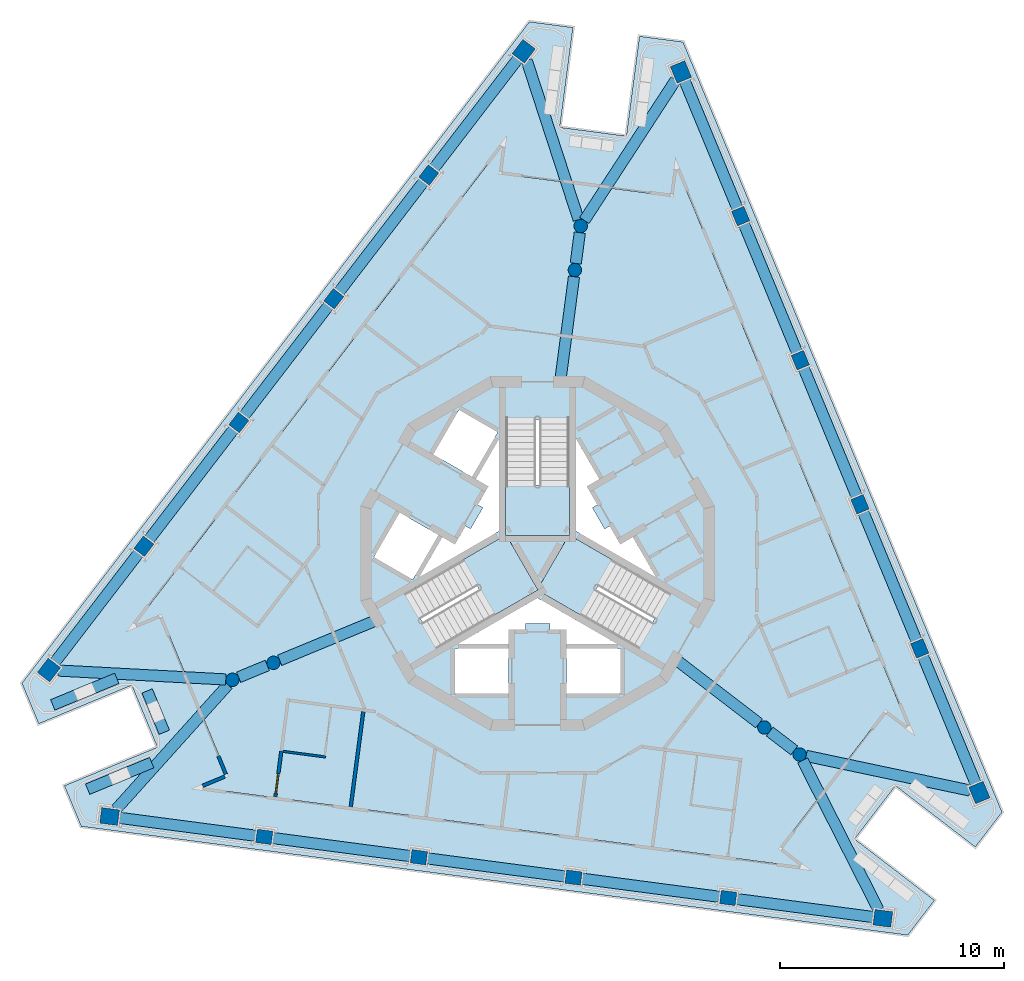
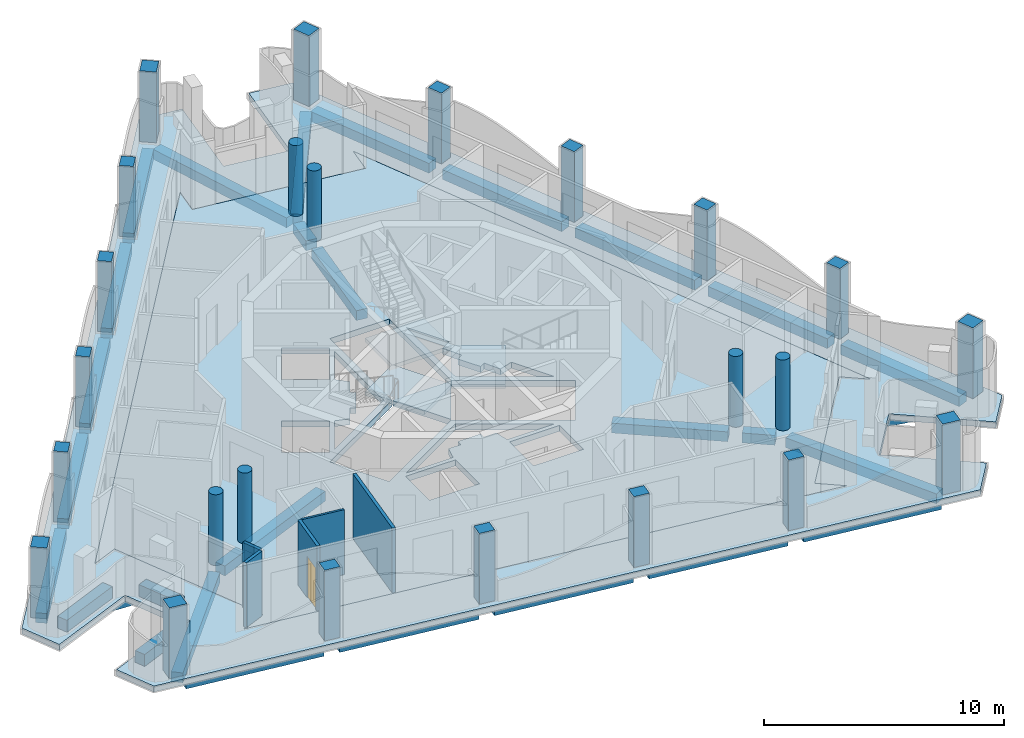
# One storey, part 1 of 12: 27 beams, 24 columns, 8 walls, 6 slabs, 1 door, 1 opening, 3 elements without a shape of their own.
"""IFC4 building model written with IfcOpenShell, lengths in metres."""

from ifc_helpers import new_model, si_unit, direction, frame, frame_2d, origin, origin_2d, place, context, subcontext, project, spatial, polyline, rectangle, circle, outline, extrude, material, layer, layer_set, material_profile, profile_set, type_object, element, fill, aggregate, save


model = new_model("IFC4")

# Units and contexts
model_context = context("Model", 3, precision=1e-05, world=origin(), true_north=direction((0.0, 1.0)))
body_context = subcontext(model_context, "Body", "Model", "MODEL_VIEW")
ifc_project = project(units=[si_unit("LENGTHUNIT", "METRE"), si_unit("AREAUNIT", "SQUARE_METRE"), si_unit("VOLUMEUNIT", "CUBIC_METRE"), si_unit("PLANEANGLEUNIT", "RADIAN"), si_unit("MASSUNIT", "GRAM", prefix="KILO")], contexts=[model_context])

# Site, building, storey
site_placement = place(None, origin())
site = spatial("IfcSite", under=ifc_project, at=site_placement, CompositionType="ELEMENT")
building_placement = place(site_placement, origin())
building = spatial("IfcBuilding", under=site, at=building_placement, Name="Trine Commons Tower", CompositionType="ELEMENT")
storey_placement = place(building_placement, frame((0.0, 0.0, 279.0)))
storey = spatial("IfcBuildingStorey", under=building, at=storey_placement, Name="L73", CompositionType="ELEMENT", Elevation=279.0)

# Columns
ifc_material_1 = material(Name="Concrete C50/60", Category="concrete")
ifc_material_profile_1 = material_profile(ifc_material_1, rectangle(XDim=0.699951171875, YDim=0.60009765625, at=origin_2d()), Name="RC 700x600")
ifc_profile_set_1 = profile_set([ifc_material_profile_1], Name="Concrete C50/60")
column_type_1 = type_object("IfcColumnType", Name="RC column 700x600, C50/60", PredefinedType="COLUMN", material=ifc_profile_set_1)
for number, where, z_axis, x_axis, name in (
    (1, (88.521728515625, 47.098876953125, 0.0), (0.0, 0.0, 1.0), (-0.991444861374, 0.13052619222, 0.0), "Column PC8-02 L73"),
    (2, (81.608642578125, 48.009033203125, 0.0), (0.0, 0.0, 1.0), (-0.991444861374, 0.13052619222, 0.0), "Column PC8-03 L73"),
    (3, (74.695556640625, 48.919189453125, 0.0), (0.0, 0.0, 1.0), (-0.991444861374, 0.13052619222, 0.0), "Column PC8-04 L73"),
    (4, (67.782470703125, 49.8291015625, 0.0), (0.0, 0.0, 1.0), (-0.991444861374, 0.13052619222, 0.0), "Column PC8-05 L73"),
    (5, (62.4013671875, 62.820556640625, 0.0), (0.0, 0.0, 1.0), (0.608761429009, 0.793353340291, 0.0), "Column PC8-08 L73"),
    (6, (66.64599609375, 68.352294921875, 0.0), (0.0, 0.0, 1.0), (0.608761429009, 0.793353340291, 0.0), "Column PC8-09 L73"),
    (7, (70.890869140625, 73.88427734375, 0.0), (0.0, 0.0, 1.0), (0.608761429009, 0.793353340291, 0.0), "Column PC8-10 L73"),
    (8, (75.135498046875, 79.416015625, 0.0), (0.0, 0.0, 1.0), (0.608761429009, 0.793353340291, 0.0), "Column PC8-11 L73"),
    (9, (89.076904296875, 77.58056640625, 0.0), (0.0, 0.0, 1.0), (-0.382683432365, 0.923879532511, 0.0), "Column PC8-14 L73"),
    (10, (91.745361328125, 71.138671875, 0.0), (0.0, 0.0, 1.0), (-0.382683432365, 0.923879532511, 0.0), "Column PC8-15 L73"),
    (11, (94.41357421875, 64.69677734375, 0.0), (0.0, 0.0, 1.0), (-0.382683432365, 0.923879532511, 0.0), "Column PC8-16 L73"),
    (12, (97.081787109375, 58.254638671875, 0.0), (0.0, 0.0, 1.0), (-0.382683432365, 0.923879532511, 0.0), "Column PC8-17 L73"),
):
    element("IfcColumn", number, at=place(storey_placement, frame(where, z_axis=z_axis, x_axis=x_axis)), inside=storey, type_object=column_type_1, Name=name, PredefinedType="COLUMN", context=body_context, shape_type="SweptSolid", body=[
        extrude(rectangle(XDim=0.699951171875, YDim=0.60009765625, at=origin_2d()), origin(), (0.0, 0.0, 1.0), 3.60009765625),
    ])
ifc_material_profile_2 = material_profile(ifc_material_1, rectangle(XDim=0.800048828125, YDim=0.699951171875, at=origin_2d()), Name="RC 800x700")
ifc_profile_set_2 = profile_set([ifc_material_profile_2], Name="Concrete C50/60")
column_type_2 = type_object("IfcColumnType", Name="RC column 800x700, C50/60", PredefinedType="COLUMN", material=ifc_profile_set_2)
for number, where, z_axis, x_axis, name in (
    (13, (95.434814453125, 46.188720703125, 0.0), (0.0, 0.0, 1.0), (-0.991444861374, 0.13052619222, 0.0), "Column PC8-01 L73"),
    (14, (60.869384765625, 50.7392578125, 0.0), (0.0, 0.0, 1.0), (-0.991444861374, 0.13052619222, 0.0), "Column PC8-06 L73"),
    (15, (58.156494140625, 57.288818359375, 0.0), (0.0, 0.0, 1.0), (0.608761429009, 0.793353340291, 0.0), "Column PC8-07 L73"),
    (16, (79.380126953125, 84.947998046875, 0.0), (0.0, 0.0, 1.0), (0.608761429009, 0.793353340291, 0.0), "Column PC8-12 L73"),
    (17, (86.40869140625, 84.022705078125, 0.0), (0.0, 0.0, 1.0), (-0.382683432365, 0.923879532511, 0.0), "Column PC8-13 L73"),
    (18, (99.750244140625, 51.812744140625, 0.0), (0.0, 0.0, 1.0), (-0.382683432365, 0.923879532511, 0.0), "Column PC8-18 L73"),
):
    element("IfcColumn", number, at=place(storey_placement, frame(where, z_axis=z_axis, x_axis=x_axis)), inside=storey, type_object=column_type_2, Name=name, PredefinedType="COLUMN", context=body_context, shape_type="SweptSolid", body=[
        extrude(rectangle(XDim=0.800048828125, YDim=0.699951171875, at=origin_2d()), origin(), (0.0, 0.0, 1.0), 3.60009765625),
    ])
ifc_material_profile_3 = material_profile(ifc_material_1, circle(Radius=0.300048828125, at=origin_2d()), Name="RC round 600")
ifc_profile_set_3 = profile_set([ifc_material_profile_3], Name="Concrete C50/60")
column_type_3 = type_object("IfcColumnType", Name="RC round column 600 mm, C50/60", PredefinedType="COLUMN", material=ifc_profile_set_3)
for number, where, z_axis, x_axis, name in (
    (19, (90.137451171875, 54.72119140625, 0.0), (0.0, 0.0, 1.0), (1.0, 0.0, 0.0), "Column WC8-1 L73"),
    (20, (91.711669921875, 53.513427734375, 0.0), (0.0, 0.0, 1.0), (1.0, 0.0, 0.0), "Column WC8-2 L73"),
    (21, (81.66796875, 75.168701171875, 0.0), (0.0, 0.0, 1.0), (1.0, 0.0, 0.0), "Column WC8-3 L73"),
    (22, (81.927001953125, 77.135986328125, 0.0), (0.0, 0.0, 1.0), (1.0, 0.0, 0.0), "Column WC8-4 L73"),
    (23, (68.194580078125, 57.610107421875, 0.0), (0.0, 0.0, 1.0), (1.0, 0.0, 0.0), "Column WC8-5 L73"),
    (24, (66.361572265625, 56.850830078125, 0.0), (0.0, 0.0, 1.0), (1.0, 0.0, 0.0), "Column WC8-6 L73"),
):
    element("IfcColumn", number, at=place(storey_placement, frame(where, z_axis=z_axis, x_axis=x_axis)), inside=storey, type_object=column_type_3, Name=name, PredefinedType="COLUMN", context=body_context, shape_type="SweptSolid", body=[
        extrude(circle(Radius=0.300048828125, at=origin_2d()), origin(), (0.0, 0.0, 1.0), 3.60009765625),
    ])

# Beams
ifc_material_2 = material(Name="Concrete C40/50", Category="concrete")
ifc_material_profile_4 = material_profile(ifc_material_2, rectangle(XDim=0.5, YDim=0.5, at=origin_2d()), Name="RC 500x500")
ifc_profile_set_4 = profile_set([ifc_material_profile_4], Name="Concrete C40/50")
beam_type = type_object("IfcBeamType", Name="RC beam 500x500, C40/50", PredefinedType="BEAM", material=ifc_profile_set_4)
beam_1_placement = place(storey_placement, frame((95.0380859375, 46.240966796875, -0.550048828125), z_axis=(-0.991444143506, 0.130531644853, 0.0), x_axis=(-0.130531644853, -0.991444143506, 0.0)))
element("IfcBeam", 25, at=beam_1_placement, inside=storey, type_object=beam_type, Name="Beam EB8-01 L73", PredefinedType="BEAM", context=body_context, shape_type="SweptSolid", body=[
    extrude(rectangle(XDim=0.5, YDim=0.5, at=origin_2d()), origin(), (0.0, 0.0, 1.0), 6.22265625),
])
beam_2_placement = place(storey_placement, frame((88.1748046875, 47.14453125, -0.550048828125), z_axis=(-0.9914427663, 0.130542104902, 0.0), x_axis=(-0.130542104902, -0.9914427663, 0.0)))
element("IfcBeam", 26, at=beam_2_placement, inside=storey, type_object=beam_type, Name="Beam EB8-02 L73", PredefinedType="BEAM", context=body_context, shape_type="SweptSolid", body=[
    extrude(rectangle(XDim=0.5, YDim=0.5, at=origin_2d()), origin(), (0.0, 0.0, 1.0), 6.272705078125),
])
for number, where, z_axis, x_axis, name in (
    (27, (81.26171875, 48.0546875, -0.550048828125), (-0.991448465824, 0.130498810784, 0.0), (-0.130498810784, -0.991448465824, 0.0), "Beam EB8-03 L73"),
    (28, (74.3486328125, 48.96484375, -0.550048828125), (-0.991448465824, 0.130498810784, 0.0), (-0.130498810784, -0.991448465824, 0.0), "Beam EB8-04 L73"),
):
    element("IfcBeam", number, at=place(storey_placement, frame(where, z_axis=z_axis, x_axis=x_axis)), inside=storey, type_object=beam_type, Name=name, PredefinedType="BEAM", context=body_context, shape_type="SweptSolid", body=[
        extrude(rectangle(XDim=0.5, YDim=0.5, at=origin_2d()), origin(), (0.0, 0.0, 1.0), 6.27294921875),
    ])
for number, where, z_axis, x_axis, name in (
    (29, (67.435546875, 49.875, -0.550048828125), (-0.991449220248, 0.130493079009, 0.0), (-0.130493079009, -0.991449220248, 0.0), "Beam EB8-05 L73"),
    (30, (58.400146484375, 57.60595703125, -0.550048828125), (0.60875848978, 0.793355595632, 0.0), (-0.793355595632, 0.60875848978, 0.0), "Beam EB8-06 L73"),
):
    element("IfcBeam", number, at=place(storey_placement, frame(where, z_axis=z_axis, x_axis=x_axis)), inside=storey, type_object=beam_type, Name=name, PredefinedType="BEAM", context=body_context, shape_type="SweptSolid", body=[
        extrude(rectangle(XDim=0.5, YDim=0.5, at=origin_2d()), origin(), (0.0, 0.0, 1.0), 6.22265625),
    ])
for number, where, z_axis, x_axis, name in (
    (31, (62.614501953125, 63.09814453125, -0.550048828125), (0.608756693169, 0.793356974206, 0.0), (-0.793356974206, 0.608756693169, 0.0), "Beam EB8-07 L73"),
    (32, (66.859130859375, 68.630126953125, -0.550048828125), (0.608775490712, 0.793342550169, 0.0), (-0.793342550169, 0.608775490712, 0.0), "Beam EB8-08 L73"),
):
    element("IfcBeam", number, at=place(storey_placement, frame(where, z_axis=z_axis, x_axis=x_axis)), inside=storey, type_object=beam_type, Name=name, PredefinedType="BEAM", context=body_context, shape_type="SweptSolid", body=[
        extrude(rectangle(XDim=0.5, YDim=0.5, at=origin_2d()), origin(), (0.0, 0.0, 1.0), 6.272705078125),
    ])
beam_3_placement = place(storey_placement, frame((71.10400390625, 74.161865234375, -0.550048828125), z_axis=(0.608750992772, 0.793361348188, 0.0), x_axis=(-0.793361348188, 0.608750992772, 0.0)))
element("IfcBeam", 33, at=beam_3_placement, inside=storey, type_object=beam_type, Name="Beam EB8-09 L73", PredefinedType="BEAM", context=body_context, shape_type="SweptSolid", body=[
    extrude(rectangle(XDim=0.5, YDim=0.5, at=origin_2d()), origin(), (0.0, 0.0, 1.0), 6.2724609375),
])
beam_4_placement = place(storey_placement, frame((75.3486328125, 79.693603515625, -0.550048828125), z_axis=(0.60873954155, 0.793370134649, 0.0), x_axis=(-0.793370134649, 0.60873954155, 0.0)))
element("IfcBeam", 34, at=beam_4_placement, inside=storey, type_object=beam_type, Name="Beam EB8-10 L73", PredefinedType="BEAM", context=body_context, shape_type="SweptSolid", body=[
    extrude(rectangle(XDim=0.5, YDim=0.5, at=origin_2d()), origin(), (0.0, 0.0, 1.0), 6.222900390625),
])
beam_5_placement = place(storey_placement, frame((86.561767578125, 83.653076171875, -0.550048828125), z_axis=(0.382686748804, -0.92387815879, 0.0), x_axis=(0.92387815879, 0.382686748804, 0.0)))
element("IfcBeam", 35, at=beam_5_placement, inside=storey, type_object=beam_type, Name="Beam EB8-11 L73", PredefinedType="BEAM", context=body_context, shape_type="SweptSolid", body=[
    extrude(rectangle(XDim=0.5, YDim=0.5, at=origin_2d()), origin(), (0.0, 0.0, 1.0), 6.22265625),
])
beam_6_placement = place(storey_placement, frame((89.210693359375, 77.257080078125, -0.550048828125), z_axis=(0.382724191967, -0.923862648278, 0.0), x_axis=(0.923862648278, 0.382724191967, 0.0)))
element("IfcBeam", 36, at=beam_6_placement, inside=storey, type_object=beam_type, Name="Beam EB8-12 L73", PredefinedType="BEAM", context=body_context, shape_type="SweptSolid", body=[
    extrude(rectangle(XDim=0.5, YDim=0.5, at=origin_2d()), origin(), (0.0, 0.0, 1.0), 6.2724609375),
])
for number, where, z_axis, x_axis, name in (
    (37, (91.879150390625, 70.815185546875, -0.550048828125), (0.38271043005, -0.923868349242, 0.0), (0.923868349242, 0.38271043005, 0.0), "Beam EB8-13 L73"),
    (38, (94.547607421875, 64.373291015625, -0.550048828125), (0.38267720894, -0.923882110314, 0.0), (0.923882110314, 0.38267720894, 0.0), "Beam EB8-14 L73"),
):
    element("IfcBeam", number, at=place(storey_placement, frame(where, z_axis=z_axis, x_axis=x_axis)), inside=storey, type_object=beam_type, Name=name, PredefinedType="BEAM", context=body_context, shape_type="SweptSolid", body=[
        extrude(rectangle(XDim=0.5, YDim=0.5, at=origin_2d()), origin(), (0.0, 0.0, 1.0), 6.272705078125),
    ])
beam_7_placement = place(storey_placement, frame((97.2158203125, 57.931396484375, -0.550048828125), z_axis=(0.382686748804, -0.92387815879, 0.0), x_axis=(0.92387815879, 0.382686748804, 0.0)))
element("IfcBeam", 39, at=beam_7_placement, inside=storey, type_object=beam_type, Name="Beam EB8-15 L73", PredefinedType="BEAM", context=body_context, shape_type="SweptSolid", body=[
    extrude(rectangle(XDim=0.5, YDim=0.5, at=origin_2d()), origin(), (0.0, 0.0, 1.0), 6.22265625),
])
beam_8_placement = place(storey_placement, frame((61.1533203125, 51.054931640625, -0.550048828125), z_axis=(0.668383038107, 0.743817258721, 0.0), x_axis=(-0.743817258721, 0.668383038107, 0.0)))
element("IfcBeam", 40, at=beam_8_placement, inside=storey, type_object=beam_type, Name="Beam CB8-01 L73", PredefinedType="BEAM", context=body_context, shape_type="SweptSolid", body=[
    extrude(rectangle(XDim=0.5, YDim=0.5, at=origin_2d()), origin(), (0.0, 0.0, 1.0), 7.492431640625),
])
beam_9_placement = place(storey_placement, frame((58.580322265625, 57.26611328125, -0.550048828125), z_axis=(0.998578123195, -0.053307896938, 0.0), x_axis=(0.053307896938, 0.998578123195, 0.0)))
element("IfcBeam", 41, at=beam_9_placement, inside=storey, type_object=beam_type, Name="Beam CB8-02 L73", PredefinedType="BEAM", context=body_context, shape_type="SweptSolid", body=[
    extrude(rectangle(XDim=0.5, YDim=0.5, at=origin_2d()), origin(), (0.0, 0.0, 1.0), 7.49267578125),
])
for number, where, z_axis, x_axis, name in (
    (42, (79.51171875, 84.54443359375, -0.550048828125), (0.309945045927, -0.950754473303, 0.0), (0.950754473303, 0.309945045927, 0.0), "Beam CB8-03 L73"),
    (43, (86.177001953125, 83.6669921875, -0.550048828125), (-0.545439536042, -0.838150173013, 0.0), (0.838150173013, -0.545439536042, 0.0), "Beam CB8-04 L73"),
):
    element("IfcBeam", number, at=place(storey_placement, frame(where, z_axis=z_axis, x_axis=x_axis)), inside=storey, type_object=beam_type, Name=name, PredefinedType="BEAM", context=body_context, shape_type="SweptSolid", body=[
        extrude(rectangle(XDim=0.5, YDim=0.5, at=origin_2d()), origin(), (0.0, 0.0, 1.0), 7.492431640625),
    ])
beam_10_placement = place(storey_placement, frame((99.335205078125, 51.900634765625, -0.550048828125), z_axis=(-0.978346023525, 0.206975984727, 0.0), x_axis=(-0.206975984727, -0.978346023525, 0.0)))
element("IfcBeam", 44, at=beam_10_placement, inside=storey, type_object=beam_type, Name="Beam CB8-05 L73", PredefinedType="BEAM", context=body_context, shape_type="SweptSolid", body=[
    extrude(rectangle(XDim=0.5, YDim=0.5, at=origin_2d()), origin(), (0.0, 0.0, 1.0), 7.49267578125),
])
beam_11_placement = place(storey_placement, frame((95.242431640625, 46.56689453125, -0.550048828125), z_axis=(-0.453121168072, 0.891448936869, 0.0), x_axis=(-0.891448936869, -0.453121168072, 0.0)))
element("IfcBeam", 45, at=beam_11_placement, inside=storey, type_object=beam_type, Name="Beam CB8-06 L73", PredefinedType="BEAM", context=body_context, shape_type="SweptSolid", body=[
    extrude(rectangle(XDim=0.5, YDim=0.5, at=origin_2d()), origin(), (0.0, 0.0, 1.0), 7.492431640625),
])
beam_12_placement = place(storey_placement, frame((86.020751953125, 57.880126953125, -0.550048828125), z_axis=(0.793360362614, -0.60875227723, 0.0), x_axis=(0.60875227723, 0.793360362614, 0.0)))
element("IfcBeam", 46, at=beam_12_placement, inside=storey, type_object=beam_type, Name="Beam RB8-01 L73", PredefinedType="BEAM", context=body_context, shape_type="SweptSolid", body=[
    extrude(rectangle(XDim=0.5, YDim=0.5, at=origin_2d()), origin(), (0.0, 0.0, 1.0), 4.88916015625),
])
beam_13_placement = place(storey_placement, frame((90.375244140625, 54.538818359375, -0.550048828125), z_axis=(0.793350909005, -0.60876459751, 0.0), x_axis=(0.60876459751, 0.793350909005, 0.0)))
element("IfcBeam", 47, at=beam_13_placement, inside=storey, type_object=beam_type, Name="Beam RB8-02 L73", PredefinedType="BEAM", context=body_context, shape_type="SweptSolid", body=[
    extrude(rectangle(XDim=0.5, YDim=0.5, at=origin_2d()), origin(), (0.0, 0.0, 1.0), 1.384765625),
])
beam_14_placement = place(storey_placement, frame((80.990478515625, 70.02392578125, -0.550048828125), z_axis=(0.130570757815, 0.991438993183, 0.0), x_axis=(-0.991438993183, 0.130570757815, 0.0)))
element("IfcBeam", 48, at=beam_14_placement, inside=storey, type_object=beam_type, Name="Beam RB8-03 L73", PredefinedType="BEAM", context=body_context, shape_type="SweptSolid", body=[
    extrude(rectangle(XDim=0.5, YDim=0.5, at=origin_2d()), origin(), (0.0, 0.0, 1.0), 4.889404296875),
])
beam_15_placement = place(storey_placement, frame((81.70703125, 75.4658203125, -0.550048828125), z_axis=(0.130454512571, 0.991454295543, 0.0), x_axis=(-0.991454295543, 0.130454512571, 0.0)))
element("IfcBeam", 49, at=beam_15_placement, inside=storey, type_object=beam_type, Name="Beam RB8-04 L73", PredefinedType="BEAM", context=body_context, shape_type="SweptSolid", body=[
    extrude(rectangle(XDim=0.5, YDim=0.5, at=origin_2d()), origin(), (0.0, 0.0, 1.0), 1.384765625),
])
beam_16_placement = place(storey_placement, frame((72.98876953125, 59.595703125, -0.550048828125), z_axis=(-0.923885978684, -0.382667869556, 0.0), x_axis=(0.382667869556, -0.923885978684, 0.0)))
element("IfcBeam", 50, at=beam_16_placement, inside=storey, type_object=beam_type, Name="Beam RB8-05 L73", PredefinedType="BEAM", context=body_context, shape_type="SweptSolid", body=[
    extrude(rectangle(XDim=0.5, YDim=0.5, at=origin_2d()), origin(), (0.0, 0.0, 1.0), 4.888916015625),
])
beam_17_placement = place(storey_placement, frame((67.91748046875, 57.495361328125, -0.550048828125), z_axis=(-0.923857745483, -0.38273602667, 0.0), x_axis=(0.38273602667, -0.923857745483, 0.0)))
element("IfcBeam", 51, at=beam_17_placement, inside=storey, type_object=beam_type, Name="Beam RB8-06 L73", PredefinedType="BEAM", context=body_context, shape_type="SweptSolid", body=[
    extrude(rectangle(XDim=0.5, YDim=0.5, at=origin_2d()), origin(), (0.0, 0.0, 1.0), 1.38427734375),
])

# Slabs
ifc_layer_1 = layer(ifc_material_2, 0.300048828125)
ifc_layer_set_1 = layer_set([ifc_layer_1], Name="Concrete C40/50")
slab_type_1 = type_object("IfcSlabType", Name="Loggia slab 300 mm, C40/50", PredefinedType="FLOOR", material=ifc_layer_set_1)
slab_1_placement = place(storey_placement, frame((0.0, 0.0, -0.300048828125)))
element("IfcSlab", 52, at=slab_1_placement, inside=storey, type_object=slab_type_1, Name="Loggia slab L73", PredefinedType="FLOOR", context=body_context, shape_type="SweptSolid", body=[
    extrude(outline(polyline([(100.763916015625, 50.933837890625), (86.503662109375, 85.36083984375), (84.556396484375, 85.6171875), (83.968994140625, 81.15576171875), (80.99462890625, 81.54736328125), (81.58203125, 86.0087890625), (79.634765625, 86.26513671875), (56.9501953125, 56.701904296875), (57.70166015625, 54.88720703125), (61.859130859375, 56.609375), (63.007080078125, 53.837890625), (58.849853515625, 52.11572265625), (59.601318359375, 50.301025390625), (96.546142578125, 45.437255859375), (97.741943359375, 46.99560546875), (94.171875, 49.73486328125), (95.998046875, 52.114990234375), (99.568115234375, 49.37548828125), (100.763916015625, 50.933837890625)]), holes=[polyline([(63.158203125, 59.7451171875), (66.14306640625, 52.538818359375), (64.900390625, 52.024169921875), (91.873779296875, 48.47314453125), (90.806640625, 49.2919921875), (95.55517578125, 55.47998046875), (96.6220703125, 54.6611328125), (86.210693359375, 79.79638671875), (86.03515625, 78.462890625), (78.302001953125, 79.481201171875), (78.4775390625, 80.814697265625), (61.915283203125, 59.23046875), (63.158203125, 59.7451171875)])]), origin(), (0.0, 0.0, 1.0), 0.300048828125),
])
ifc_layer_2 = layer(ifc_material_2, 0.300048828125)
ifc_layer_set_2 = layer_set([ifc_layer_2], Name="Concrete C40/50")
slab_type_2 = type_object("IfcSlabType", Name="PT flat slab 300 mm, C40/50", PredefinedType="FLOOR", material=ifc_layer_set_2)
slab_2_placement = place(storey_placement, frame((0.0, 0.0, -0.300048828125)))
element("IfcSlab", 53, at=slab_2_placement, inside=storey, type_object=slab_type_2, Name="Floor slab L73", PredefinedType="FLOOR", context=body_context, shape_type="SweptSolid", body=[
    extrude(outline(polyline([(61.915283203125, 59.23046875), (63.158203125, 59.7451171875), (66.14306640625, 52.538818359375), (64.900390625, 52.024169921875), (91.873779296875, 48.47314453125), (90.806640625, 49.2919921875), (95.55517578125, 55.47998046875), (96.6220703125, 54.6611328125), (86.210693359375, 79.79638671875), (86.03515625, 78.462890625), (78.302001953125, 79.481201171875), (78.4775390625, 80.814697265625), (61.915283203125, 59.23046875)]), holes=[polyline([(78.699951171875, 56.25), (78.699951171875, 58.25), (76.300048828125, 58.25), (76.300048828125, 56.25), (78.699951171875, 56.25)]), polyline([(83.699951171875, 56.25), (83.699951171875, 58.25), (81.300048828125, 58.25), (81.300048828125, 56.25), (83.699951171875, 56.25)]), polyline([(81.300048828125, 58.449951171875), (83.56494140625, 58.449951171875), (80.0, 60.508056640625), (76.43505859375, 58.449951171875), (78.699951171875, 58.449951171875), (78.85009765625, 59.10009765625), (79.449951171875, 59.10009765625), (79.449951171875, 59.360107421875), (80.550048828125, 59.360107421875), (80.550048828125, 59.10009765625), (81.14990234375, 59.10009765625), (81.300048828125, 58.449951171875)]), polyline([(81.425048828125, 63.32275390625), (81.425048828125, 68.490478515625), (78.574951171875, 68.490478515625), (78.574951171875, 63.32275390625), (74.099609375, 60.73876953125), (75.5244140625, 58.2705078125), (80.0, 60.8544921875), (84.4755859375, 58.2705078125), (85.900390625, 60.73876953125), (81.425048828125, 63.32275390625)]), polyline([(72.687255859375, 62.333984375), (74.41943359375, 61.333984375), (75.5693359375, 63.325927734375), (73.83740234375, 64.325927734375), (72.687255859375, 62.333984375)]), polyline([(76.381103515625, 63.031005859375), (75.742919921875, 63.22607421875), (74.7099609375, 61.43798828125), (78.27490234375, 63.49609375), (78.27490234375, 67.612060546875), (77.242919921875, 65.823974609375), (77.73095703125, 65.368896484375), (77.3310546875, 64.676025390625), (77.555908203125, 64.5458984375), (77.006103515625, 63.593994140625), (76.781005859375, 63.722900390625), (76.381103515625, 63.031005859375)]), polyline([(82.993896484375, 63.593994140625), (82.444091796875, 64.5458984375), (82.72705078125, 64.7099609375), (82.281005859375, 65.549072265625), (82.757080078125, 65.823974609375), (81.72509765625, 67.612060546875), (81.72509765625, 63.49609375), (85.2900390625, 61.43798828125), (84.257080078125, 63.22607421875), (83.618896484375, 63.031005859375), (83.243896484375, 63.738037109375), (82.993896484375, 63.593994140625)]), polyline([(76.4873046875, 68.916015625), (75.33740234375, 66.924072265625), (77.0693359375, 65.924072265625), (78.219482421875, 67.916015625), (76.4873046875, 68.916015625)])]), origin(), (0.0, 0.0, 1.0), 0.300048828125),
])
slab_3_placement = place(storey_placement, frame((0.0, 0.0, -0.300048828125)))
element("IfcSlab", 54, at=slab_3_placement, inside=storey, type_object=slab_type_2, Name="Floor slab L73 2", PredefinedType="FLOOR", context=body_context, shape_type="SweptSolid", body=[
    extrude(outline(polyline([(81.38671875, 63.300537109375), (78.61328125, 63.300537109375), (80.0, 60.89892578125), (81.38671875, 63.300537109375)])), origin(), (0.0, 0.0, 1.0), 0.300048828125),
])

# Stair, slab
stair_type = type_object("IfcStairType", Name="Exit stair, dog-leg, 24 risers of 150 mm", PredefinedType="HALF_TURN_STAIR", material=ifc_material_1)
stair_1_placement = place(storey_placement, origin())
stair_1 = element("IfcStair", 55, at=stair_1_placement, inside=storey, type_object=stair_type, Name="L73 Exit stair ST1D", PredefinedType="HALF_TURN_STAIR")
ifc_layer_3 = layer(ifc_material_1, 0.199951171875)
ifc_layer_set_3 = layer_set([ifc_layer_3], Name="Concrete C50/60")
slab_type_3 = type_object("IfcSlabType", Name="Stair landing slab 200 mm, C50/60", PredefinedType="LANDING", material=ifc_layer_set_3)
slab_4_placement = place(storey_placement, frame((0.0, 0.0, 1.60009765625)))
slab_4 = element("IfcSlab", 56, at=slab_4_placement, type_object=slab_type_3, Name="ST1D landing 1", PredefinedType="LANDING", context=body_context, shape_type="SweptSolid", body=[
    extrude(outline(polyline([(78.574951171875, 65.570556640625), (78.574951171875, 63.300537109375), (81.425048828125, 63.300537109375), (81.425048828125, 65.570556640625), (78.574951171875, 65.570556640625)])), origin(), (0.0, 0.0, 1.0), 0.199951171875),
])
aggregate(stair_1, [slab_4])

stair_2_placement = place(storey_placement, origin())
stair_2 = element("IfcStair", 57, at=stair_2_placement, inside=storey, type_object=stair_type, Name="L73 Exit stair ST2D", PredefinedType="HALF_TURN_STAIR")
slab_5_placement = place(storey_placement, frame((0.0, 0.0, 1.60009765625)))
slab_5 = element("IfcSlab", 58, at=slab_5_placement, type_object=slab_type_3, Name="ST2D landing 1", PredefinedType="LANDING", context=body_context, shape_type="SweptSolid", body=[
    extrude(outline(polyline([(78.05322265625, 59.730712890625), (80.019287109375, 60.86572265625), (78.59423828125, 63.333740234375), (76.628173828125, 62.19873046875), (78.05322265625, 59.730712890625)])), origin(), (0.0, 0.0, 1.0), 0.199951171875),
])
aggregate(stair_2, [slab_5])

stair_3_placement = place(storey_placement, origin())
stair_3 = element("IfcStair", 59, at=stair_3_placement, inside=storey, type_object=stair_type, Name="L73 Exit stair ST3D", PredefinedType="HALF_TURN_STAIR")
slab_6_placement = place(storey_placement, frame((0.0, 0.0, 1.60009765625)))
slab_6 = element("IfcSlab", 60, at=slab_6_placement, type_object=slab_type_3, Name="ST3D landing 1", PredefinedType="LANDING", context=body_context, shape_type="SweptSolid", body=[
    extrude(outline(polyline([(83.371826171875, 62.19873046875), (81.40576171875, 63.333740234375), (79.980712890625, 60.86572265625), (81.94677734375, 59.730712890625), (83.371826171875, 62.19873046875)])), origin(), (0.0, 0.0, 1.0), 0.199951171875),
])
aggregate(stair_3, [slab_6])

# Walls
ifc_material_3 = material(Name="Aluminium-framed insulated wall panel", Category="aluminium")
ifc_layer_4 = layer(ifc_material_3, 0.14990234375)
ifc_layer_set_4 = layer_set([ifc_layer_4], Name="Aluminium-framed insulated wall panel")
wall_type_1 = type_object("IfcWallType", Name="Glazed frame wall 150, EI 60", PredefinedType="SOLIDWALL", material=ifc_layer_set_4)
wall_1_placement = place(storey_placement, frame((64.886962890625, 52.056396484375, 0.0), z_axis=(0.0, 0.0, 1.0), x_axis=(0.923837625967, 0.382784588048, 0.0)))
element("IfcWall", 61, at=wall_1_placement, inside=storey, type_object=wall_type_1, Name="Glazed frame wall R10", PredefinedType="SOLIDWALL", context=body_context, shape_type="SweptSolid", body=[
    extrude(outline(polyline([(0.1494140625, 0.074951171875), (0.1494140625, -0.074951171875), (1.235107421875, -0.074951171875), (1.235107421875, 0.074951171875), (0.1494140625, 0.074951171875)])), origin(), (0.0, 0.0, 1.0), 3.300048828125),
])
wall_2_placement = place(storey_placement, frame((66.110595703125, 52.525390625, 0.0), z_axis=(0.0, 0.0, 1.0), x_axis=(-0.382517086072, 0.923948417858, 0.0)))
element("IfcWall", 62, at=wall_2_placement, inside=storey, type_object=wall_type_1, Name="Glazed frame wall P3.1", PredefinedType="SOLIDWALL", context=body_context, shape_type="SweptSolid", body=[
    extrude(outline(polyline([(0.110107421875, -0.074951171875), (1.0, -0.074951171875), (1.0, 0.074951171875), (0.110107421875, 0.074951171875), (0.110107421875, -0.074951171875)])), origin(), (0.0, 0.0, 1.0), 3.300048828125),
])
ifc_material_4 = material(Name="Planter trough, precast concrete C40/50", Category="concrete")
ifc_layer_5 = layer(ifc_material_4, 0.5)
ifc_layer_set_5 = layer_set([ifc_layer_5], Name="Planter trough, precast concrete C40/50")
wall_type_2 = type_object("IfcWallType", Name="Planter trough 500x600", PredefinedType="PARAPET", material=ifc_layer_set_5)
wall_3_placement = place(storey_placement, frame((59.887939453125, 51.961181640625, 0.0), z_axis=(0.0, 0.0, 1.0), x_axis=(0.923883411188, 0.382674068277, 0.0)))
element("IfcWall", 63, at=wall_3_placement, inside=storey, type_object=wall_type_2, Name="Planter 1", PredefinedType="PARAPET", context=body_context, shape_type="SweptSolid", body=[
    extrude(rectangle(XDim=3.099853515625, YDim=0.5, at=frame_2d((1.5498046875, 0.0))), origin(), (0.0, 0.0, 1.0), 0.60009765625),
])
wall_4_placement = place(storey_placement, frame((63.314697265625, 54.50634765625, 0.0), z_axis=(0.0, 0.0, 1.0), x_axis=(-0.382707581205, 0.923869529365, 0.0)))
element("IfcWall", 64, at=wall_4_placement, inside=storey, type_object=wall_type_2, Name="Planter 2", PredefinedType="PARAPET", context=body_context, shape_type="SweptSolid", body=[
    extrude(rectangle(XDim=2.0, YDim=0.5, at=frame_2d((1.0, 0.0))), origin(), (0.0, 0.0, 1.0), 0.60009765625),
])
wall_5_placement = place(storey_placement, frame((61.190673828125, 56.9169921875, 0.0), z_axis=(0.0, 0.0, 1.0), x_axis=(-0.923883411188, -0.382674068277, 0.0)))
element("IfcWall", 65, at=wall_5_placement, inside=storey, type_object=wall_type_2, Name="Planter 3", PredefinedType="PARAPET", context=body_context, shape_type="SweptSolid", body=[
    extrude(rectangle(XDim=3.099853515625, YDim=0.5, at=frame_2d((1.5498046875, 0.0))), origin(), (0.0, 0.0, 1.0), 0.60009765625),
])

# Wall, opening, door
ifc_material_5 = material(Name="Gypsum plasterboard on steel stud", Category="steel")
ifc_layer_6 = layer(ifc_material_5, 0.14990234375)
ifc_layer_set_6 = layer_set([ifc_layer_6], Name="Gypsum plasterboard on steel stud")
wall_type_3 = type_object("IfcWallType", Name="Unit and corridor wall 150 mm, EI 60", PredefinedType="PARTITIONING", material=ifc_layer_set_6)
wall_6_placement = place(storey_placement, frame((68.277099609375, 51.61962890625, 0.0), z_axis=(0.0, 0.0, 1.0), x_axis=(0.130234200459, 0.991483259077, 0.0)))
wall_6 = element("IfcWall", 66, at=wall_6_placement, inside=storey, type_object=wall_type_3, Name="Partition 007", PredefinedType="PARTITIONING", context=body_context, shape_type="SweptSolid", body=[
    extrude(rectangle(XDim=2.06396484375, YDim=0.14990234375, at=frame_2d((1.031982421875, 0.0))), origin(), (0.0, 0.0, 1.0), 3.300048828125),
])
opening_placement = place(wall_6_placement, frame((0.14990234375, 0.0, 0.0)))
opening = element("IfcOpeningElement", 67, at=opening_placement, cuts=wall_6, Name="Opening D-8A19", PredefinedType="OPENING", context=body_context, shape_type="SweptSolid", body=[
    extrude(rectangle(XDim=0.89990234375, YDim=2.10009765625, at=frame_2d((0.449951171875, 1.050048828125))), frame((0.0, 0.0849609375, 0.0), z_axis=(0.0, -1.0, 0.0), x_axis=(1.0, 0.0, 0.0)), (0.0, 0.0, 1.0), 0.169921875),
])
ifc_material_6 = material(Name="Timber fire door set", Category="wood")
door_type = type_object("IfcDoorType", Name="Bedroom door 900 x 2100, FD30S", OperationType="NOTDEFINED", PredefinedType="DOOR", material=ifc_material_6)
door_placement = place(opening_placement, frame((0.89990234375, 0.0, 0.0), z_axis=(0.0, 0.0, 1.0), x_axis=(-1.0, 0.0, 0.0)))
door = element("IfcDoor", 68, at=door_placement, inside=storey, type_object=door_type, Name="Door D-8A19", OperationType="SINGLE_SWING_RIGHT", OverallHeight=2.10009765625, OverallWidth=0.89990234375, PredefinedType="DOOR", context=body_context, shape_type="SweptSolid", body=[
    extrude(rectangle(XDim=0.89990234375, YDim=2.10009765625, at=frame_2d((0.449951171875, 1.050048828125))), frame((0.0, 0.02490234375, 0.0), z_axis=(0.0, -1.0, 0.0), x_axis=(1.0, 0.0, 0.0)), (0.0, 0.0, 1.0), 0.050048828125),
])
fill(opening, door)

# Walls
wall_7_placement = place(storey_placement, frame((71.649169921875, 51.17578125, 0.0), z_axis=(0.0, 0.0, 1.0), x_axis=(0.130461881083, 0.991453325974, 0.0)))
element("IfcWall", 69, at=wall_7_placement, inside=storey, type_object=wall_type_3, Name="Partition 020", PredefinedType="PARTITIONING", context=body_context, shape_type="SweptSolid", body=[
    extrude(rectangle(XDim=4.285400390625, YDim=0.14990234375, at=frame_2d((2.142578125, 0.0))), origin(), (0.0, 0.0, 1.0), 3.300048828125),
])
ifc_layer_7 = layer(ifc_material_5, 0.10009765625)
ifc_layer_set_7 = layer_set([ifc_layer_7], Name="Gypsum plasterboard on steel stud")
wall_type_4 = type_object("IfcWallType", Name="Unit partition 100 mm, no rating", PredefinedType="PARTITIONING", material=ifc_layer_set_7)
wall_8_placement = place(storey_placement, frame((68.620361328125, 53.652099609375, 0.0), z_axis=(0.0, 0.0, 1.0), x_axis=(0.991493972536, -0.130152612055, 0.0)))
element("IfcWall", 70, at=wall_8_placement, inside=storey, type_object=wall_type_4, Name="Partition 009", PredefinedType="PARTITIONING", context=body_context, shape_type="SweptSolid", body=[
    extrude(rectangle(XDim=1.924560546875, YDim=0.10009765625, at=frame_2d((0.96240234375, 0.0))), origin(), (0.0, 0.0, 1.0), 3.300048828125),
])

save(model, "model.ifc")
